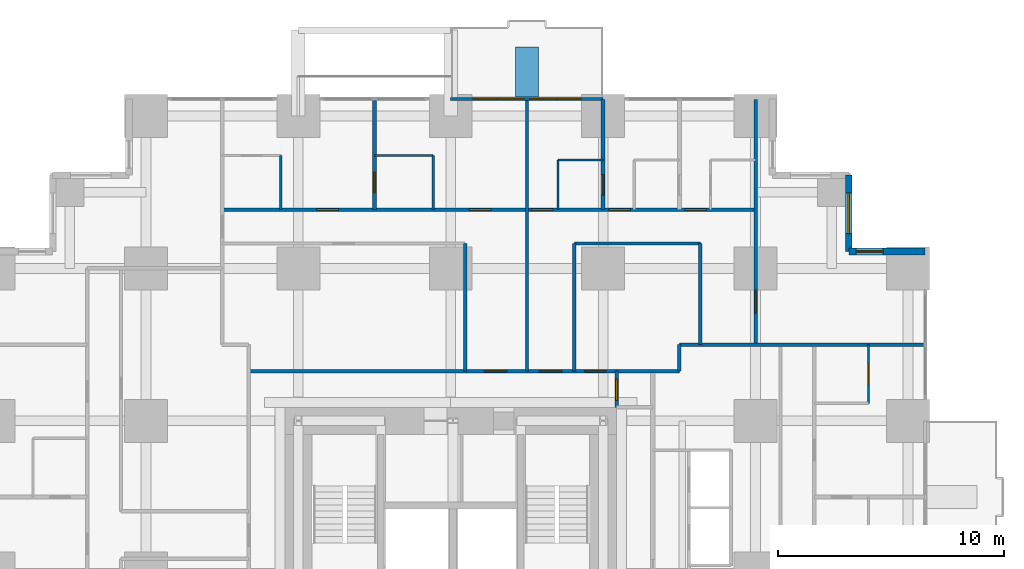
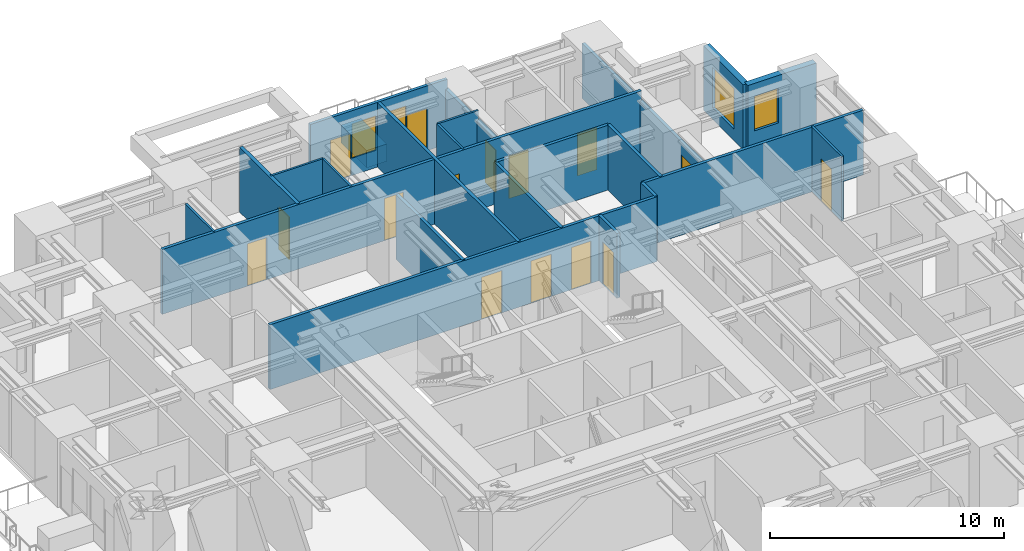
# One storey, part 12 of 14: 23 walls, 15 doors, 4 windows, 19 openings.
"""IFC4 building model written with IfcOpenShell, lengths in metres."""

from ifc_helpers import new_model, si_unit, direction, frame, frame_2d, origin, place, context, subcontext, project, spatial, rectangle, extrude, material, layer, layer_set, type_object, element, fill, save


model = new_model("IFC4")

# Units and contexts
model_context = context("Model", 3, precision=1e-05, world=origin(), true_north=direction((0.0, 1.0)))
body_context = subcontext(model_context, "Body", "Model", "MODEL_VIEW")
ifc_project = project(units=[si_unit("LENGTHUNIT", "METRE"), si_unit("AREAUNIT", "SQUARE_METRE"), si_unit("VOLUMEUNIT", "CUBIC_METRE"), si_unit("PLANEANGLEUNIT", "RADIAN"), si_unit("MASSUNIT", "GRAM", prefix="KILO")], contexts=[model_context])

# Site, building, storey
site_placement = place(None, origin())
site = spatial("IfcSite", under=ifc_project, at=site_placement, CompositionType="ELEMENT")
building_placement = place(site_placement, origin())
building = spatial("IfcBuilding", under=site, at=building_placement, Name="Nyansa Garden Tower", CompositionType="ELEMENT")
storey_placement = place(building_placement, frame((0.0, 0.0, 28.800048828125)))
storey = spatial("IfcBuildingStorey", under=building, at=storey_placement, Name="L07", CompositionType="ELEMENT", Elevation=28.800048828125)

# Wall, opening, door
ifc_material_1 = material(Name="Dense blockwork, plastered both sides, 55 dB", Category="masonry")
ifc_layer_1 = layer(ifc_material_1, 0.175048828125)
ifc_layer_set_1 = layer_set([ifc_layer_1], Name="Acoustic party wall PW175")
wall_type_1 = type_object("IfcWallType", Name="Acoustic party wall PW175", PredefinedType="PARTITIONING", material=ifc_layer_set_1)
wall_1_placement = place(storey_placement, frame((16.875, 36.35009765625, 0.0), z_axis=(0.0, 0.0, 1.0), x_axis=(0.0, 1.0, 0.0)))
wall_1 = element("IfcWall", 1, at=wall_1_placement, inside=storey, type_object=wall_type_1, Name="Party wall", PredefinedType="PARTITIONING", context=body_context, shape_type="SweptSolid", body=[
    extrude(rectangle(XDim=4.8837890625, YDim=0.175048828125, at=frame_2d((2.44189453125, 0.0))), origin(), (0.0, 0.0, 1.0), 3.375),
])
opening_1_placement = place(wall_1_placement, frame((0.75, 0.0, 0.0)))
opening_1 = element("IfcOpeningElement", 2, at=opening_1_placement, cuts=wall_1, Name="Opening D02", PredefinedType="OPENING", context=body_context, shape_type="SweptSolid", body=[
    extrude(rectangle(XDim=0.89990234375, YDim=2.199951171875, at=frame_2d((0.449951171875, 1.10009765625))), frame((0.0, 0.097412109375, 0.0), z_axis=(0.0, -1.0, 0.0), x_axis=(1.0, 0.0, 0.0)), (0.0, 0.0, 1.0), 0.195068359375),
])
ifc_material_2 = material(Name="Timber flush door", Category="wood")
door_type_1 = type_object("IfcDoorType", Name="En-suite door D02 900x2200", OperationType="SINGLE_SWING_RIGHT", PredefinedType="DOOR", material=ifc_material_2)
door_1_placement = place(opening_1_placement, origin())
door_1 = element("IfcDoor", 3, at=door_1_placement, inside=storey, type_object=door_type_1, Name="Door L07-053", OperationType="SINGLE_SWING_RIGHT", OverallHeight=2.199951171875, OverallWidth=0.89990234375, PredefinedType="DOOR", context=body_context, shape_type="SweptSolid", body=[
    extrude(rectangle(XDim=0.89990234375, YDim=2.199951171875, at=frame_2d((0.449951171875, 1.10009765625))), frame((0.0, 0.02490234375, 0.0), z_axis=(0.0, -1.0, 0.0), x_axis=(1.0, 0.0, 0.0)), (0.0, 0.0, 1.0), 0.050048828125),
])
fill(opening_1, door_1)

wall_2_placement = place(storey_placement, frame((27.0, 36.35009765625, 0.0), z_axis=(0.0, 0.0, 1.0), x_axis=(0.0, 1.0, 0.0)))
wall_2 = element("IfcWall", 4, at=wall_2_placement, inside=storey, type_object=wall_type_1, Name="Party wall", PredefinedType="PARTITIONING", context=body_context, shape_type="SweptSolid", body=[
    extrude(rectangle(XDim=4.8837890625, YDim=0.175048828125, at=frame_2d((2.44189453125, 0.0))), origin(), (0.0, 0.0, 1.0), 2.876953125),
])
opening_2_placement = place(wall_2_placement, frame((0.64990234375, 0.0, 0.0)))
opening_2 = element("IfcOpeningElement", 5, at=opening_2_placement, cuts=wall_2, Name="Opening D02", PredefinedType="OPENING", context=body_context, shape_type="SweptSolid", body=[
    extrude(rectangle(XDim=0.89990234375, YDim=2.199951171875, at=frame_2d((0.449951171875, 1.10009765625))), frame((0.0, 0.097412109375, 0.0), z_axis=(0.0, -1.0, 0.0), x_axis=(1.0, 0.0, 0.0)), (0.0, 0.0, 1.0), 0.195068359375),
])
door_2_placement = place(opening_2_placement, origin())
door_2 = element("IfcDoor", 6, at=door_2_placement, inside=storey, type_object=door_type_1, Name="Door L07-048", OperationType="SINGLE_SWING_RIGHT", OverallHeight=2.199951171875, OverallWidth=0.89990234375, PredefinedType="DOOR", context=body_context, shape_type="SweptSolid", body=[
    extrude(rectangle(XDim=0.89990234375, YDim=2.199951171875, at=frame_2d((0.449951171875, 1.10009765625))), frame((0.0, 0.02490234375, 0.0), z_axis=(0.0, -1.0, 0.0), x_axis=(1.0, 0.0, 0.0)), (0.0, 0.0, 1.0), 0.050048828125),
])
fill(opening_2, door_2)

# Wall, openings, doors, windows
ifc_material_3 = material(Name="Black aluminium framed glazed screen", Category="aluminium")
ifc_layer_2 = layer(ifc_material_3, 0.14990234375)
ifc_layer_set_2 = layer_set([ifc_layer_2], Name="Balcony screen wall BW150")
wall_type_2 = type_object("IfcWallType", Name="Balcony screen wall BW150", PredefinedType="SOLIDWALL", material=ifc_layer_set_2)
wall_3_placement = place(storey_placement, frame((20.25, 41.25, 0.0), z_axis=(0.0, 0.0, 1.0), x_axis=(1.0, 0.0, 0.0)))
wall_3 = element("IfcWall", 7, at=wall_3_placement, inside=storey, type_object=wall_type_2, Name="Glazed screen wall L07 N", PredefinedType="SOLIDWALL", context=body_context, shape_type="SweptSolid", body=[
    extrude(rectangle(XDim=6.75, YDim=0.14990234375, at=frame_2d((3.375, 0.0))), origin(), (0.0, 0.0, 1.0), 3.375),
])
opening_3_placement = place(wall_3_placement, frame((0.995849609375, 0.0, 0.0)))
opening_3 = element("IfcOpeningElement", 8, at=opening_3_placement, cuts=wall_3, Name="Opening D20", PredefinedType="OPENING", context=body_context, shape_type="SweptSolid", body=[
    extrude(rectangle(XDim=1.0, YDim=2.199951171875, at=frame_2d((0.5, 1.10009765625))), frame((0.0, 0.0849609375, 0.0), z_axis=(0.0, -1.0, 0.0), x_axis=(1.0, 0.0, 0.0)), (0.0, 0.0, 1.0), 0.169921875),
])
opening_4_placement = place(wall_3_placement, frame((2.041748046875, 0.0, 0.89990234375)))
opening_4 = element("IfcOpeningElement", 9, at=opening_4_placement, cuts=wall_3, Name="Opening W6", PredefinedType="OPENING", context=body_context, shape_type="SweptSolid", body=[
    extrude(rectangle(XDim=1.199951171875, YDim=1.800048828125, at=frame_2d((0.60009765625, 0.89990234375))), frame((0.0, 0.0849609375, 0.0), z_axis=(0.0, -1.0, 0.0), x_axis=(1.0, 0.0, 0.0)), (0.0, 0.0, 1.0), 0.169921875),
])
opening_5_placement = place(wall_3_placement, frame((4.754150390625, 0.0, 0.0)))
opening_5 = element("IfcOpeningElement", 10, at=opening_5_placement, cuts=wall_3, Name="Opening D20", PredefinedType="OPENING", context=body_context, shape_type="SweptSolid", body=[
    extrude(rectangle(XDim=1.0, YDim=2.199951171875, at=frame_2d((0.5, 1.10009765625))), frame((0.0, 0.0849609375, 0.0), z_axis=(0.0, -1.0, 0.0), x_axis=(1.0, 0.0, 0.0)), (0.0, 0.0, 1.0), 0.169921875),
])
opening_6_placement = place(wall_3_placement, frame((3.50830078125, 0.0, 0.89990234375)))
opening_6 = element("IfcOpeningElement", 11, at=opening_6_placement, cuts=wall_3, Name="Opening W6", PredefinedType="OPENING", context=body_context, shape_type="SweptSolid", body=[
    extrude(rectangle(XDim=1.199951171875, YDim=1.800048828125, at=frame_2d((0.60009765625, 0.89990234375))), frame((0.0, 0.0849609375, 0.0), z_axis=(0.0, -1.0, 0.0), x_axis=(1.0, 0.0, 0.0)), (0.0, 0.0, 1.0), 0.169921875),
])
ifc_material_4 = material(Name="Black aluminium framed glazed door", Category="aluminium")
door_type_2 = type_object("IfcDoorType", Name="Balcony door D20 1000x2200", OperationType="NOTDEFINED", PredefinedType="DOOR", material=ifc_material_4)
door_3_placement = place(opening_3_placement, origin())
door_3 = element("IfcDoor", 12, at=door_3_placement, inside=storey, type_object=door_type_2, Name="Balcony door L07", OperationType="SINGLE_SWING_LEFT", OverallHeight=2.199951171875, OverallWidth=1.0, PredefinedType="DOOR", context=body_context, shape_type="SweptSolid", body=[
    extrude(rectangle(XDim=1.0, YDim=2.199951171875, at=frame_2d((0.5, 1.10009765625))), frame((0.0, 0.02490234375, 0.0), z_axis=(0.0, -1.0, 0.0), x_axis=(1.0, 0.0, 0.0)), (0.0, 0.0, 1.0), 0.050048828125),
])
fill(opening_3, door_3)
door_4_placement = place(opening_5_placement, origin())
door_4 = element("IfcDoor", 13, at=door_4_placement, inside=storey, type_object=door_type_2, Name="Balcony door L07", OperationType="SINGLE_SWING_RIGHT", OverallHeight=2.199951171875, OverallWidth=1.0, PredefinedType="DOOR", context=body_context, shape_type="SweptSolid", body=[
    extrude(rectangle(XDim=1.0, YDim=2.199951171875, at=frame_2d((0.5, 1.10009765625))), frame((0.0, 0.02490234375, 0.0), z_axis=(0.0, -1.0, 0.0), x_axis=(1.0, 0.0, 0.0)), (0.0, 0.0, 1.0), 0.050048828125),
])
fill(opening_5, door_4)
ifc_material_5 = material(Name="Black aluminium frame, dark tinted double glazing", Category="aluminium")
window_type_1 = type_object("IfcWindowType", Name="Balcony window W6 1200x1800", PartitioningType="SINGLE_PANEL", PredefinedType="WINDOW", material=ifc_material_5)
window_1_placement = place(opening_4_placement, origin())
window_1 = element("IfcWindow", 14, at=window_1_placement, inside=storey, type_object=window_type_1, Name="Window L07", OverallHeight=1.800048828125, OverallWidth=1.199951171875, PartitioningType="SINGLE_PANEL", PredefinedType="WINDOW", context=body_context, shape_type="SweptSolid", body=[
    extrude(rectangle(XDim=1.199951171875, YDim=1.800048828125, at=frame_2d((0.60009765625, 0.89990234375))), frame((0.0, 0.030029296875, 0.0), z_axis=(0.0, -1.0, 0.0), x_axis=(1.0, 0.0, 0.0)), (0.0, 0.0, 1.0), 0.06005859375),
])
fill(opening_4, window_1)
window_2_placement = place(opening_6_placement, origin())
window_2 = element("IfcWindow", 15, at=window_2_placement, inside=storey, type_object=window_type_1, Name="Window L07", OverallHeight=1.800048828125, OverallWidth=1.199951171875, PartitioningType="SINGLE_PANEL", PredefinedType="WINDOW", context=body_context, shape_type="SweptSolid", body=[
    extrude(rectangle(XDim=1.199951171875, YDim=1.800048828125, at=frame_2d((0.60009765625, 0.89990234375))), frame((0.0, 0.030029296875, 0.0), z_axis=(0.0, -1.0, 0.0), x_axis=(1.0, 0.0, 0.0)), (0.0, 0.0, 1.0), 0.06005859375),
])
fill(opening_6, window_2)

# Wall, openings, doors
ifc_material_6 = material(Name="Blockwork, plastered both sides", Category="masonry")
ifc_layer_3 = layer(ifc_material_6, 0.14990234375)
ifc_layer_set_3 = layer_set([ifc_layer_3], Name="Partition PW150")
wall_type_3 = type_object("IfcWallType", Name="Partition PW150", PredefinedType="PARTITIONING", material=ifc_layer_set_3)
wall_4_placement = place(storey_placement, frame((10.125, 36.35009765625, 0.0), z_axis=(0.0, 0.0, 1.0), x_axis=(1.0, 0.0, 0.0)))
wall_4 = element("IfcWall", 16, at=wall_4_placement, inside=storey, type_object=wall_type_3, Name="Partition", PredefinedType="PARTITIONING", context=body_context, shape_type="SweptSolid", body=[
    extrude(rectangle(XDim=23.625, YDim=0.14990234375, at=frame_2d((11.8125, 0.0))), origin(), (0.0, 0.0, 1.0), 3.375),
])
opening_7_placement = place(wall_4_placement, frame((20.5, 0.0, 0.0)))
opening_7 = element("IfcOpeningElement", 17, at=opening_7_placement, cuts=wall_4, Name="Opening D01", PredefinedType="OPENING", context=body_context, shape_type="SweptSolid", body=[
    extrude(rectangle(XDim=0.949951171875, YDim=2.199951171875, at=frame_2d((0.47509765625, 1.10009765625))), frame((0.0, 0.0849609375, 0.0), z_axis=(0.0, -1.0, 0.0), x_axis=(1.0, 0.0, 0.0)), (0.0, 0.0, 1.0), 0.169921875),
])
opening_8_placement = place(wall_4_placement, frame((17.125, 0.0, 0.0)))
opening_8 = element("IfcOpeningElement", 18, at=opening_8_placement, cuts=wall_4, Name="Opening D01", PredefinedType="OPENING", context=body_context, shape_type="SweptSolid", body=[
    extrude(rectangle(XDim=0.949951171875, YDim=2.199951171875, at=frame_2d((0.47509765625, 1.10009765625))), frame((0.0, 0.0849609375, 0.0), z_axis=(0.0, -1.0, 0.0), x_axis=(1.0, 0.0, 0.0)), (0.0, 0.0, 1.0), 0.169921875),
])
opening_9_placement = place(wall_4_placement, frame((13.699951171875, 0.0, 0.0)))
opening_9 = element("IfcOpeningElement", 19, at=opening_9_placement, cuts=wall_4, Name="Opening D01", PredefinedType="OPENING", context=body_context, shape_type="SweptSolid", body=[
    extrude(rectangle(XDim=0.949951171875, YDim=2.199951171875, at=frame_2d((0.47509765625, 1.10009765625))), frame((0.0, 0.0849609375, 0.0), z_axis=(0.0, -1.0, 0.0), x_axis=(1.0, 0.0, 0.0)), (0.0, 0.0, 1.0), 0.169921875),
])
opening_10_placement = place(wall_4_placement, frame((4.199951171875, 0.0, 0.0)))
opening_10 = element("IfcOpeningElement", 20, at=opening_10_placement, cuts=wall_4, Name="Opening D14", PredefinedType="OPENING", context=body_context, shape_type="SweptSolid", body=[
    extrude(rectangle(XDim=0.949951171875, YDim=2.199951171875, at=frame_2d((0.47509765625, 1.10009765625))), frame((0.0, 0.0849609375, 0.0), z_axis=(0.0, -1.0, 0.0), x_axis=(1.0, 0.0, 0.0)), (0.0, 0.0, 1.0), 0.169921875),
])
opening_11_placement = place(wall_4_placement, frame((10.949951171875, 0.0, 0.0)))
opening_11 = element("IfcOpeningElement", 21, at=opening_11_placement, cuts=wall_4, Name="Opening D14", PredefinedType="OPENING", context=body_context, shape_type="SweptSolid", body=[
    extrude(rectangle(XDim=0.949951171875, YDim=2.199951171875, at=frame_2d((0.47509765625, 1.10009765625))), frame((0.0, 0.0849609375, 0.0), z_axis=(0.0, -1.0, 0.0), x_axis=(1.0, 0.0, 0.0)), (0.0, 0.0, 1.0), 0.169921875),
])
ifc_material_7 = material(Name="Timber flush door, 30 minute fire resisting", Category="wood")
door_type_3 = type_object("IfcDoorType", Name="Bedroom door D01 950x2200", OperationType="SINGLE_SWING_LEFT", PredefinedType="DOOR", material=ifc_material_7)
door_5_placement = place(opening_7_placement, origin())
door_5 = element("IfcDoor", 22, at=door_5_placement, inside=storey, type_object=door_type_3, Name="Door L07-043", OperationType="SINGLE_SWING_LEFT", OverallHeight=2.199951171875, OverallWidth=0.949951171875, PredefinedType="DOOR", context=body_context, shape_type="SweptSolid", body=[
    extrude(rectangle(XDim=0.949951171875, YDim=2.199951171875, at=frame_2d((0.47509765625, 1.10009765625))), frame((0.0, 0.02490234375, 0.0), z_axis=(0.0, -1.0, 0.0), x_axis=(1.0, 0.0, 0.0)), (0.0, 0.0, 1.0), 0.050048828125),
])
fill(opening_7, door_5)
door_6_placement = place(opening_8_placement, origin())
door_6 = element("IfcDoor", 23, at=door_6_placement, inside=storey, type_object=door_type_3, Name="Door L07-045", OperationType="SINGLE_SWING_LEFT", OverallHeight=2.199951171875, OverallWidth=0.949951171875, PredefinedType="DOOR", context=body_context, shape_type="SweptSolid", body=[
    extrude(rectangle(XDim=0.949951171875, YDim=2.199951171875, at=frame_2d((0.47509765625, 1.10009765625))), frame((0.0, 0.02490234375, 0.0), z_axis=(0.0, -1.0, 0.0), x_axis=(1.0, 0.0, 0.0)), (0.0, 0.0, 1.0), 0.050048828125),
])
fill(opening_8, door_6)
door_7_placement = place(opening_9_placement, origin())
door_7 = element("IfcDoor", 24, at=door_7_placement, inside=storey, type_object=door_type_3, Name="Door L07-047", OperationType="SINGLE_SWING_LEFT", OverallHeight=2.199951171875, OverallWidth=0.949951171875, PredefinedType="DOOR", context=body_context, shape_type="SweptSolid", body=[
    extrude(rectangle(XDim=0.949951171875, YDim=2.199951171875, at=frame_2d((0.47509765625, 1.10009765625))), frame((0.0, 0.02490234375, 0.0), z_axis=(0.0, -1.0, 0.0), x_axis=(1.0, 0.0, 0.0)), (0.0, 0.0, 1.0), 0.050048828125),
])
fill(opening_9, door_7)
ifc_material_8 = material(Name="Timber flush door, 60 minute fire resisting, self-closing", Category="wood")
door_type_4 = type_object("IfcDoorType", Name="Studio entrance door D14 950x2200", OperationType="SINGLE_SWING_LEFT", PredefinedType="DOOR", material=ifc_material_8)
door_8_placement = place(opening_10_placement, origin())
door_8 = element("IfcDoor", 25, at=door_8_placement, inside=storey, type_object=door_type_4, Name="Door L07-050", OperationType="SINGLE_SWING_LEFT", OverallHeight=2.199951171875, OverallWidth=0.949951171875, PredefinedType="DOOR", context=body_context, shape_type="SweptSolid", body=[
    extrude(rectangle(XDim=0.949951171875, YDim=2.199951171875, at=frame_2d((0.47509765625, 1.10009765625))), frame((0.0, 0.02490234375, 0.0), z_axis=(0.0, -1.0, 0.0), x_axis=(1.0, 0.0, 0.0)), (0.0, 0.0, 1.0), 0.050048828125),
])
fill(opening_10, door_8)
door_9_placement = place(opening_11_placement, origin())
door_9 = element("IfcDoor", 26, at=door_9_placement, inside=storey, type_object=door_type_4, Name="Door L07-052", OperationType="SINGLE_SWING_LEFT", OverallHeight=2.199951171875, OverallWidth=0.949951171875, PredefinedType="DOOR", context=body_context, shape_type="SweptSolid", body=[
    extrude(rectangle(XDim=0.949951171875, YDim=2.199951171875, at=frame_2d((0.47509765625, 1.10009765625))), frame((0.0, 0.02490234375, 0.0), z_axis=(0.0, -1.0, 0.0), x_axis=(1.0, 0.0, 0.0)), (0.0, 0.0, 1.0), 0.050048828125),
])
fill(opening_11, door_9)

wall_5_placement = place(storey_placement, frame((11.300048828125, 29.199951171875, 0.0), z_axis=(0.0, 0.0, 1.0), x_axis=(1.0, 0.0, 0.0)))
wall_5 = element("IfcWall", 27, at=wall_5_placement, inside=storey, type_object=wall_type_3, Name="Partition", PredefinedType="PARTITIONING", context=body_context, shape_type="SweptSolid", body=[
    extrude(rectangle(XDim=19.074951171875, YDim=0.14990234375, at=frame_2d((9.53759765625, 0.0))), origin(), (0.0, 0.0, 1.0), 3.375),
])
opening_12_placement = place(wall_5_placement, frame((12.875, 0.0, 0.0)))
opening_12 = element("IfcOpeningElement", 28, at=opening_12_placement, cuts=wall_5, Name="Opening D03", PredefinedType="OPENING", context=body_context, shape_type="SweptSolid", body=[
    extrude(rectangle(XDim=1.0, YDim=2.199951171875, at=frame_2d((0.5, 1.10009765625))), frame((0.0, 0.0849609375, 0.0), z_axis=(0.0, -1.0, 0.0), x_axis=(1.0, 0.0, 0.0)), (0.0, 0.0, 1.0), 0.169921875),
])
opening_13_placement = place(wall_5_placement, frame((10.4375, 0.0, 0.0)))
opening_13 = element("IfcOpeningElement", 29, at=opening_13_placement, cuts=wall_5, Name="Opening D03", PredefinedType="OPENING", context=body_context, shape_type="SweptSolid", body=[
    extrude(rectangle(XDim=1.0, YDim=2.199951171875, at=frame_2d((0.5, 1.10009765625))), frame((0.0, 0.0849609375, 0.0), z_axis=(0.0, -1.0, 0.0), x_axis=(1.0, 0.0, 0.0)), (0.0, 0.0, 1.0), 0.169921875),
])
opening_14_placement = place(wall_5_placement, frame((14.875, 0.0, 0.0)))
opening_14 = element("IfcOpeningElement", 30, at=opening_14_placement, cuts=wall_5, Name="Opening D01", PredefinedType="OPENING", context=body_context, shape_type="SweptSolid", body=[
    extrude(rectangle(XDim=0.949951171875, YDim=2.199951171875, at=frame_2d((0.47509765625, 1.10009765625))), frame((0.0, 0.0849609375, 0.0), z_axis=(0.0, -1.0, 0.0), x_axis=(1.0, 0.0, 0.0)), (0.0, 0.0, 1.0), 0.169921875),
])
door_10_placement = place(opening_14_placement, origin())
door_10 = element("IfcDoor", 31, at=door_10_placement, inside=storey, type_object=door_type_3, Name="Door L07-055", OperationType="SINGLE_SWING_LEFT", OverallHeight=2.199951171875, OverallWidth=0.949951171875, PredefinedType="DOOR", context=body_context, shape_type="SweptSolid", body=[
    extrude(rectangle(XDim=0.949951171875, YDim=2.199951171875, at=frame_2d((0.47509765625, 1.10009765625))), frame((0.0, 0.02490234375, 0.0), z_axis=(0.0, -1.0, 0.0), x_axis=(1.0, 0.0, 0.0)), (0.0, 0.0, 1.0), 0.050048828125),
])
fill(opening_14, door_10)
ifc_material_9 = material(Name="Timber flush door, 60 minute fire resisting", Category="wood")
door_type_5 = type_object("IfcDoorType", Name="Cluster entrance door D03 1000x2200", OperationType="SINGLE_SWING_LEFT", PredefinedType="DOOR", material=ifc_material_9)
door_11_placement = place(opening_12_placement, origin())
door_11 = element("IfcDoor", 32, at=door_11_placement, inside=storey, type_object=door_type_5, Name="Door L07-049", OperationType="SINGLE_SWING_LEFT", OverallHeight=2.199951171875, OverallWidth=1.0, PredefinedType="DOOR", context=body_context, shape_type="SweptSolid", body=[
    extrude(rectangle(XDim=1.0, YDim=2.199951171875, at=frame_2d((0.5, 1.10009765625))), frame((0.0, 0.02490234375, 0.0), z_axis=(0.0, -1.0, 0.0), x_axis=(1.0, 0.0, 0.0)), (0.0, 0.0, 1.0), 0.050048828125),
])
fill(opening_12, door_11)
door_12_placement = place(opening_13_placement, origin())
door_12 = element("IfcDoor", 33, at=door_12_placement, inside=storey, type_object=door_type_5, Name="Door L07-054", OperationType="SINGLE_SWING_LEFT", OverallHeight=2.199951171875, OverallWidth=1.0, PredefinedType="DOOR", context=body_context, shape_type="SweptSolid", body=[
    extrude(rectangle(XDim=1.0, YDim=2.199951171875, at=frame_2d((0.5, 1.10009765625))), frame((0.0, 0.02490234375, 0.0), z_axis=(0.0, -1.0, 0.0), x_axis=(1.0, 0.0, 0.0)), (0.0, 0.0, 1.0), 0.050048828125),
])
fill(opening_13, door_12)

# Walls
wall_6_placement = place(storey_placement, frame((20.886962890625, 29.199951171875, 0.0), z_axis=(0.0, 0.0, 1.0), x_axis=(0.0, 1.0, 0.0)))
element("IfcWall", 34, at=wall_6_placement, inside=storey, type_object=wall_type_3, Name="Partition", PredefinedType="PARTITIONING", context=body_context, shape_type="SweptSolid", body=[
    extrude(rectangle(XDim=5.650146484375, YDim=0.14990234375, at=frame_2d((2.8251953125, 0.0))), origin(), (0.0, 0.0, 1.0), 3.375),
])
wall_7_placement = place(storey_placement, frame((23.625, 29.199951171875, 0.0), z_axis=(0.0, 0.0, 1.0), x_axis=(0.0, 1.0, 0.0)))
element("IfcWall", 35, at=wall_7_placement, inside=storey, type_object=wall_type_3, Name="Partition", PredefinedType="PARTITIONING", context=body_context, shape_type="SweptSolid", body=[
    extrude(rectangle(XDim=12.033935546875, YDim=0.14990234375, at=frame_2d((6.01708984375, 0.0))), origin(), (0.0, 0.0, 1.0), 3.375),
])
wall_8_placement = place(storey_placement, frame((25.72509765625, 29.199951171875, 0.0), z_axis=(0.0, 0.0, 1.0), x_axis=(0.0, 1.0, 0.0)))
element("IfcWall", 36, at=wall_8_placement, inside=storey, type_object=wall_type_3, Name="Partition", PredefinedType="PARTITIONING", context=body_context, shape_type="SweptSolid", body=[
    extrude(rectangle(XDim=5.650146484375, YDim=0.14990234375, at=frame_2d((2.8251953125, 0.0))), origin(), (0.0, 0.0, 1.0), 3.375),
])
wall_9_placement = place(storey_placement, frame((25.72509765625, 34.85009765625, 0.0), z_axis=(0.0, 0.0, 1.0), x_axis=(1.0, 0.0, 0.0)))
element("IfcWall", 37, at=wall_9_placement, inside=storey, type_object=wall_type_3, Name="Partition", PredefinedType="PARTITIONING", context=body_context, shape_type="SweptSolid", body=[
    extrude(rectangle(XDim=5.574951171875, YDim=0.14990234375, at=frame_2d((2.78759765625, 0.0))), origin(), (0.0, 0.0, 1.0), 3.375),
])

# Wall, opening, door
wall_10_placement = place(storey_placement, frame((27.60009765625, 27.60009765625, 0.0), z_axis=(0.0, 0.0, 1.0), x_axis=(0.0, 1.0, 0.0)))
wall_10 = element("IfcWall", 38, at=wall_10_placement, inside=storey, type_object=wall_type_3, Name="Partition", PredefinedType="PARTITIONING", context=body_context, shape_type="SweptSolid", body=[
    extrude(rectangle(XDim=1.599853515625, YDim=0.14990234375, at=frame_2d((0.7998046875, 0.0))), origin(), (0.0, 0.0, 1.0), 3.375),
])
opening_15_placement = place(wall_10_placement, frame((0.300048828125, 0.0, 0.0)))
opening_15 = element("IfcOpeningElement", 39, at=opening_15_placement, cuts=wall_10, Name="Opening D01", PredefinedType="OPENING", context=body_context, shape_type="SweptSolid", body=[
    extrude(rectangle(XDim=0.949951171875, YDim=2.199951171875, at=frame_2d((0.47509765625, 1.10009765625))), frame((0.0, 0.0849609375, 0.0), z_axis=(0.0, -1.0, 0.0), x_axis=(1.0, 0.0, 0.0)), (0.0, 0.0, 1.0), 0.169921875),
])
door_13_placement = place(opening_15_placement, origin())
door_13 = element("IfcDoor", 40, at=door_13_placement, inside=storey, type_object=door_type_3, Name="Door L07-016", OperationType="SINGLE_SWING_LEFT", OverallHeight=2.199951171875, OverallWidth=0.949951171875, PredefinedType="DOOR", context=body_context, shape_type="SweptSolid", body=[
    extrude(rectangle(XDim=0.949951171875, YDim=2.199951171875, at=frame_2d((0.47509765625, 1.10009765625))), frame((0.0, 0.02490234375, 0.0), z_axis=(0.0, -1.0, 0.0), x_axis=(1.0, 0.0, 0.0)), (0.0, 0.0, 1.0), 0.050048828125),
])
fill(opening_15, door_13)

# Walls
wall_11_placement = place(storey_placement, frame((30.375, 29.199951171875, 0.0), z_axis=(0.0, 0.0, 1.0), x_axis=(0.0, 1.0, 0.0)))
element("IfcWall", 41, at=wall_11_placement, inside=storey, type_object=wall_type_3, Name="Partition", PredefinedType="PARTITIONING", context=body_context, shape_type="SweptSolid", body=[
    extrude(rectangle(XDim=1.175048828125, YDim=0.14990234375, at=frame_2d((0.58740234375, 0.0))), origin(), (0.0, 0.0, 1.0), 3.375),
])
wall_12_placement = place(storey_placement, frame((30.375, 30.375, 0.0), z_axis=(0.0, 0.0, 1.0), x_axis=(1.0, 0.0, 0.0)))
element("IfcWall", 42, at=wall_12_placement, inside=storey, type_object=wall_type_3, Name="Partition", PredefinedType="PARTITIONING", context=body_context, shape_type="SweptSolid", body=[
    extrude(rectangle(XDim=10.85888671875, YDim=0.14990234375, at=frame_2d((5.429443359375, 0.0))), origin(), (0.0, 0.0, 1.0), 3.375),
])
wall_13_placement = place(storey_placement, frame((31.300048828125, 30.375, 0.0), z_axis=(0.0, 0.0, 1.0), x_axis=(0.0, 1.0, 0.0)))
element("IfcWall", 43, at=wall_13_placement, inside=storey, type_object=wall_type_3, Name="Partition", PredefinedType="PARTITIONING", context=body_context, shape_type="SweptSolid", body=[
    extrude(rectangle(XDim=4.47509765625, YDim=0.14990234375, at=frame_2d((2.237548828125, 0.0))), origin(), (0.0, 0.0, 1.0), 3.375),
])

# Wall, opening, door
wall_14_placement = place(storey_placement, frame((33.75, 30.375, 0.0), z_axis=(0.0, 0.0, 1.0), x_axis=(0.0, 1.0, 0.0)))
wall_14 = element("IfcWall", 44, at=wall_14_placement, inside=storey, type_object=wall_type_3, Name="Partition", PredefinedType="PARTITIONING", context=body_context, shape_type="SweptSolid", body=[
    extrude(rectangle(XDim=10.85888671875, YDim=0.14990234375, at=frame_2d((5.429443359375, 0.0))), origin(), (0.0, 0.0, 1.0), 2.876953125),
])
opening_16_placement = place(wall_14_placement, frame((1.39990234375, 0.0, 0.0)))
opening_16 = element("IfcOpeningElement", 45, at=opening_16_placement, cuts=wall_14, Name="Opening D03", PredefinedType="OPENING", context=body_context, shape_type="SweptSolid", body=[
    extrude(rectangle(XDim=1.0, YDim=2.199951171875, at=frame_2d((0.5, 1.10009765625))), frame((0.0, 0.0849609375, 0.0), z_axis=(0.0, -1.0, 0.0), x_axis=(1.0, 0.0, 0.0)), (0.0, 0.0, 1.0), 0.169921875),
])
door_14_placement = place(opening_16_placement, origin())
door_14 = element("IfcDoor", 46, at=door_14_placement, inside=storey, type_object=door_type_5, Name="Door L07-042", OperationType="SINGLE_SWING_LEFT", OverallHeight=2.199951171875, OverallWidth=1.0, PredefinedType="DOOR", context=body_context, shape_type="SweptSolid", body=[
    extrude(rectangle(XDim=1.0, YDim=2.199951171875, at=frame_2d((0.5, 1.10009765625))), frame((0.0, 0.02490234375, 0.0), z_axis=(0.0, -1.0, 0.0), x_axis=(1.0, 0.0, 0.0)), (0.0, 0.0, 1.0), 0.050048828125),
])
fill(opening_16, door_14)

# Wall, opening, window
ifc_material_10 = material(Name="Turquoise glazed tile on concrete blockwork", Category="masonry")
ifc_layer_4 = layer(ifc_material_10, 0.300048828125)
ifc_layer_set_4 = layer_set([ifc_layer_4], Name="Tiled corner wall TW300")
wall_type_4 = type_object("IfcWallType", Name="Tiled corner wall TW300", PredefinedType="SOLIDWALL", material=ifc_layer_set_4)
wall_15_placement = place(storey_placement, frame((41.25, 34.5, 0.0), z_axis=(0.0, 0.0, 1.0), x_axis=(-1.0, 0.0, 0.0)))
wall_15 = element("IfcWall", 47, at=wall_15_placement, inside=storey, type_object=wall_type_4, Name="Tiled corner wall L07", PredefinedType="SOLIDWALL", context=body_context, shape_type="SweptSolid", body=[
    extrude(rectangle(XDim=3.375, YDim=0.300048828125, at=frame_2d((1.6875, 0.0))), origin(), (0.0, 0.0, 1.0), 3.375),
])
opening_17_placement = place(wall_15_placement, frame((1.857421875, 0.0, 0.89990234375)))
opening_17 = element("IfcOpeningElement", 48, at=opening_17_placement, cuts=wall_15, Name="Opening W4", PredefinedType="OPENING", context=body_context, shape_type="SweptSolid", body=[
    extrude(rectangle(XDim=1.199951171875, YDim=1.800048828125, at=frame_2d((0.60009765625, 0.89990234375))), frame((0.0, 0.159912109375, 0.0), z_axis=(0.0, -1.0, 0.0), x_axis=(1.0, 0.0, 0.0)), (0.0, 0.0, 1.0), 0.320068359375),
])
ifc_material_11 = material(Name="Black aluminium frame, dark tinted double glazing", Category="aluminium")
window_type_2 = type_object("IfcWindowType", Name="Window W4 1200x1800", PartitioningType="SINGLE_PANEL", PredefinedType="WINDOW", material=ifc_material_11)
window_3_placement = place(opening_17_placement, origin())
window_3 = element("IfcWindow", 49, at=window_3_placement, inside=storey, type_object=window_type_2, Name="Corner window L07", OverallHeight=1.800048828125, OverallWidth=1.199951171875, PartitioningType="SINGLE_PANEL", PredefinedType="WINDOW", context=body_context, shape_type="SweptSolid", body=[
    extrude(rectangle(XDim=1.199951171875, YDim=1.800048828125, at=frame_2d((0.60009765625, 0.89990234375))), frame((0.0, 0.030029296875, 0.0), z_axis=(0.0, -1.0, 0.0), x_axis=(1.0, 0.0, 0.0)), (0.0, 0.0, 1.0), 0.06005859375),
])
fill(opening_17, window_3)

wall_16_placement = place(storey_placement, frame((37.875, 34.5, 0.0), z_axis=(0.0, 0.0, 1.0), x_axis=(0.0, 1.0, 0.0)))
wall_16 = element("IfcWall", 50, at=wall_16_placement, inside=storey, type_object=wall_type_4, Name="Tiled corner wall L07", PredefinedType="SOLIDWALL", context=body_context, shape_type="SweptSolid", body=[
    extrude(rectangle(XDim=3.375, YDim=0.300048828125, at=frame_2d((1.6875, 0.0))), origin(), (0.0, 0.0, 1.0), 3.375),
])
opening_18_placement = place(wall_16_placement, frame((0.78759765625, 0.0, 0.60009765625)))
opening_18 = element("IfcOpeningElement", 51, at=opening_18_placement, cuts=wall_16, Name="Opening W2", PredefinedType="OPENING", context=body_context, shape_type="SweptSolid", body=[
    extrude(rectangle(XDim=1.800048828125, YDim=2.10009765625, at=frame_2d((0.89990234375, 1.050048828125))), frame((0.0, 0.159912109375, 0.0), z_axis=(0.0, -1.0, 0.0), x_axis=(1.0, 0.0, 0.0)), (0.0, 0.0, 1.0), 0.320068359375),
])
ifc_material_12 = material(Name="Black aluminium frame, dark tinted double glazing", Category="aluminium")
window_type_3 = type_object("IfcWindowType", Name="Window W2 1800x2100", PartitioningType="SINGLE_PANEL", PredefinedType="WINDOW", material=ifc_material_12)
window_4_placement = place(opening_18_placement, origin())
window_4 = element("IfcWindow", 52, at=window_4_placement, inside=storey, type_object=window_type_3, Name="Corner window L07", OverallHeight=2.10009765625, OverallWidth=1.800048828125, PartitioningType="SINGLE_PANEL", PredefinedType="WINDOW", context=body_context, shape_type="SweptSolid", body=[
    extrude(rectangle(XDim=1.800048828125, YDim=2.10009765625, at=frame_2d((0.89990234375, 1.050048828125))), frame((0.0, 0.030029296875, 0.0), z_axis=(0.0, -1.0, 0.0), x_axis=(1.0, 0.0, 0.0)), (0.0, 0.0, 1.0), 0.06005859375),
])
fill(opening_18, window_4)

# Walls
ifc_material_13 = material(Name="Concrete C40/50 planter, waterproofed", Category="concrete")
ifc_layer_5 = layer(ifc_material_13, 1.0)
ifc_layer_set_5 = layer_set([ifc_layer_5], Name="Tree planter TP1")
wall_type_5 = type_object("IfcWallType", Name="Tree planter TP1", PredefinedType="USERDEFINED", material=ifc_layer_set_5)
wall_17_placement = place(storey_placement, frame((23.625, 41.35009765625, 0.0), z_axis=(0.0, 0.0, 1.0), x_axis=(0.0, 1.0, 0.0)))
element("IfcWall", 53, at=wall_17_placement, inside=storey, type_object=wall_type_5, Name="Tree planter L07", ObjectType="TREE PLANTER", PredefinedType="USERDEFINED", context=body_context, shape_type="SweptSolid", body=[
    extrude(rectangle(XDim=2.199951171875, YDim=1.0, at=frame_2d((1.10009765625, 0.0))), origin(), (0.0, 0.0, 1.0), 0.89990234375),
])
ifc_material_14 = material(Name="Moisture resistant board on steel studs, tiled", Category="steel")
ifc_layer_6 = layer(ifc_material_14, 0.10009765625)
ifc_layer_set_6 = layer_set([ifc_layer_6], Name="Wet wall PW100")
wall_type_6 = type_object("IfcWallType", Name="Wet wall PW100", PredefinedType="PARTITIONING", material=ifc_layer_set_6)
wall_18_placement = place(storey_placement, frame((12.72509765625, 36.35009765625, 0.0), z_axis=(0.0, 0.0, 1.0), x_axis=(0.0, 1.0, 0.0)))
element("IfcWall", 54, at=wall_18_placement, inside=storey, type_object=wall_type_6, Name="Wet wall", PredefinedType="PARTITIONING", context=body_context, shape_type="SweptSolid", body=[
    extrude(rectangle(XDim=2.39990234375, YDim=0.10009765625, at=frame_2d((1.199951171875, 0.0))), origin(), (0.0, 0.0, 1.0), 3.375),
])
wall_19_placement = place(storey_placement, frame((16.875, 38.75, 0.0), z_axis=(0.0, 0.0, 1.0), x_axis=(1.0, 0.0, 0.0)))
element("IfcWall", 55, at=wall_19_placement, inside=storey, type_object=wall_type_6, Name="Wet wall", PredefinedType="PARTITIONING", context=body_context, shape_type="SweptSolid", body=[
    extrude(rectangle(XDim=2.60009765625, YDim=0.10009765625, at=frame_2d((1.300048828125, 0.0))), origin(), (0.0, 0.0, 1.0), 3.375),
])
wall_20_placement = place(storey_placement, frame((19.47509765625, 36.35009765625, 0.0), z_axis=(0.0, 0.0, 1.0), x_axis=(0.0, 1.0, 0.0)))
element("IfcWall", 56, at=wall_20_placement, inside=storey, type_object=wall_type_6, Name="Wet wall", PredefinedType="PARTITIONING", context=body_context, shape_type="SweptSolid", body=[
    extrude(rectangle(XDim=2.39990234375, YDim=0.10009765625, at=frame_2d((1.199951171875, 0.0))), origin(), (0.0, 0.0, 1.0), 3.375),
])
wall_21_placement = place(storey_placement, frame((25.0, 36.35009765625, 0.0), z_axis=(0.0, 0.0, 1.0), x_axis=(0.0, 1.0, 0.0)))
element("IfcWall", 57, at=wall_21_placement, inside=storey, type_object=wall_type_6, Name="Wet wall", PredefinedType="PARTITIONING", context=body_context, shape_type="SweptSolid", body=[
    extrude(rectangle(XDim=2.199951171875, YDim=0.10009765625, at=frame_2d((1.10009765625, 0.0))), origin(), (0.0, 0.0, 1.0), 3.375),
])
wall_22_placement = place(storey_placement, frame((25.0, 38.550048828125, 0.0), z_axis=(0.0, 0.0, 1.0), x_axis=(1.0, 0.0, 0.0)))
element("IfcWall", 58, at=wall_22_placement, inside=storey, type_object=wall_type_6, Name="Wet wall", PredefinedType="PARTITIONING", context=body_context, shape_type="SweptSolid", body=[
    extrude(rectangle(XDim=2.0, YDim=0.10009765625, at=frame_2d((1.0, 0.0))), origin(), (0.0, 0.0, 1.0), 3.375),
])

# Wall, opening, door
wall_23_placement = place(storey_placement, frame((38.75, 27.77490234375, 0.0), z_axis=(0.0, 0.0, 1.0), x_axis=(0.0, 1.0, 0.0)))
wall_23 = element("IfcWall", 59, at=wall_23_placement, inside=storey, type_object=wall_type_6, Name="Wet wall", PredefinedType="PARTITIONING", context=body_context, shape_type="SweptSolid", body=[
    extrude(rectangle(XDim=2.60009765625, YDim=0.10009765625, at=frame_2d((1.300048828125, 0.0))), origin(), (0.0, 0.0, 1.0), 3.375),
])
opening_19_placement = place(wall_23_placement, frame((0.85009765625, 0.0, 0.0)))
opening_19 = element("IfcOpeningElement", 60, at=opening_19_placement, cuts=wall_23, Name="Opening D02", PredefinedType="OPENING", context=body_context, shape_type="SweptSolid", body=[
    extrude(rectangle(XDim=0.89990234375, YDim=2.199951171875, at=frame_2d((0.449951171875, 1.10009765625))), frame((0.0, 0.06005859375, 0.0), z_axis=(0.0, -1.0, 0.0), x_axis=(1.0, 0.0, 0.0)), (0.0, 0.0, 1.0), 0.1201171875),
])
door_15_placement = place(opening_19_placement, origin())
door_15 = element("IfcDoor", 61, at=door_15_placement, inside=storey, type_object=door_type_1, Name="Door L07-034", OperationType="SINGLE_SWING_RIGHT", OverallHeight=2.199951171875, OverallWidth=0.89990234375, PredefinedType="DOOR", context=body_context, shape_type="SweptSolid", body=[
    extrude(rectangle(XDim=0.89990234375, YDim=2.199951171875, at=frame_2d((0.449951171875, 1.10009765625))), frame((0.0, 0.02490234375, 0.0), z_axis=(0.0, -1.0, 0.0), x_axis=(1.0, 0.0, 0.0)), (0.0, 0.0, 1.0), 0.050048828125),
])
fill(opening_19, door_15)

save(model, "model.ifc")
